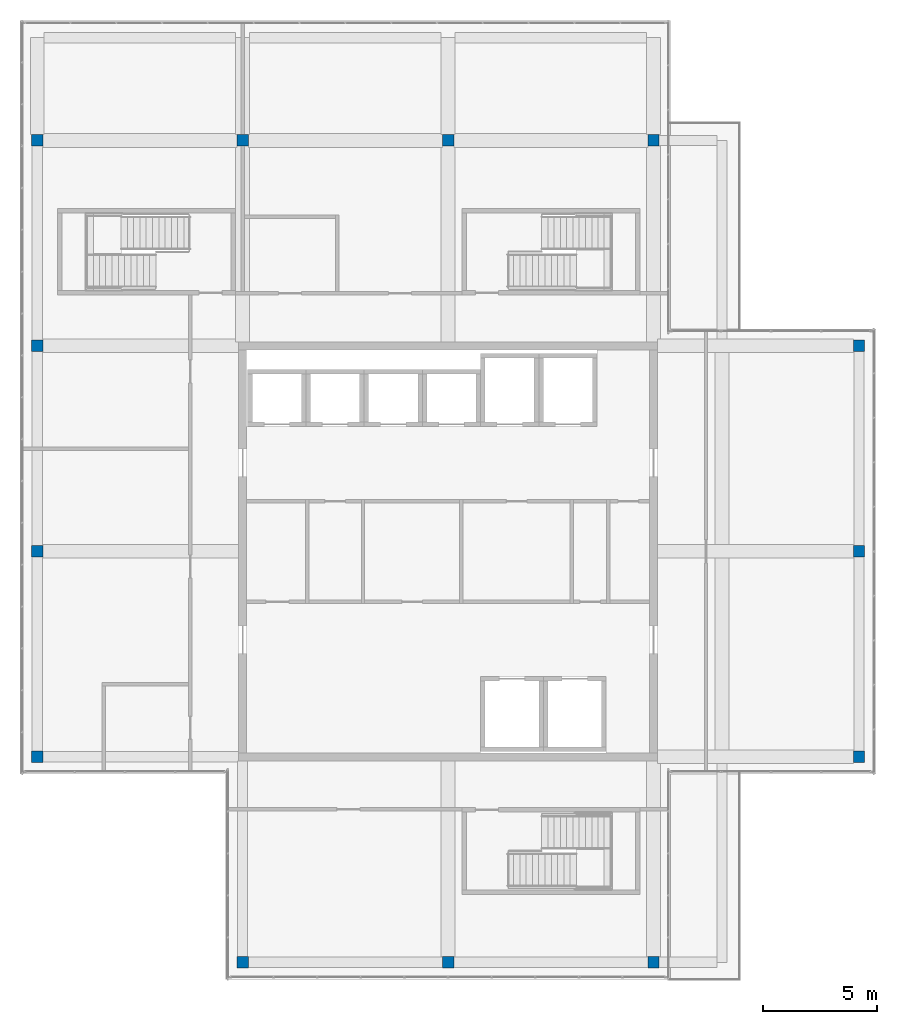
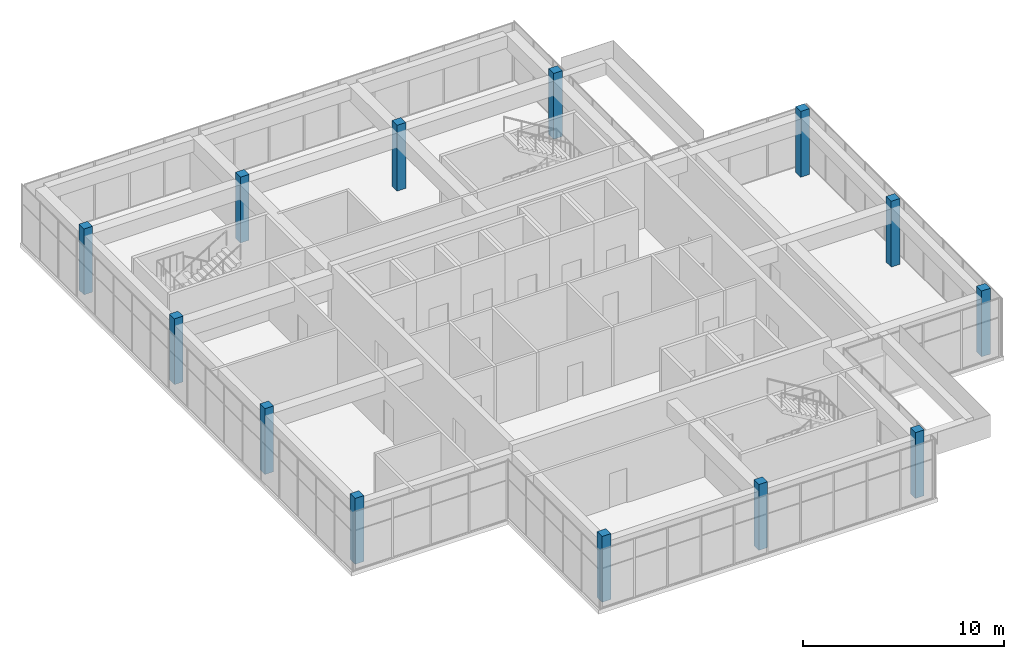
# One storey, part 1 of 36: 13 columns.
"""IFC4 building model written with IfcOpenShell, lengths in metres."""

from ifc_helpers import new_model, si_unit, direction, frame, origin, origin_2d, place, context, subcontext, project, spatial, rectangle, extrude, material, material_profile, profile_set, type_object, element, save


model = new_model("IFC4")

# Units and contexts
model_context = context("Model", 3, precision=1e-05, world=origin(), true_north=direction((0.0, 1.0)))
body_context = subcontext(model_context, "Body", "Model", "MODEL_VIEW")
ifc_project = project(units=[si_unit("LENGTHUNIT", "METRE"), si_unit("AREAUNIT", "SQUARE_METRE"), si_unit("VOLUMEUNIT", "CUBIC_METRE"), si_unit("PLANEANGLEUNIT", "RADIAN"), si_unit("MASSUNIT", "GRAM", prefix="KILO")], contexts=[model_context])

# Site, building, storey
site_placement = place(None, origin())
site = spatial("IfcSite", under=ifc_project, at=site_placement, CompositionType="ELEMENT")
building_placement = place(site_placement, origin())
building = spatial("IfcBuilding", under=site, at=building_placement, Name="Tuart Plaza Theatre", CompositionType="ELEMENT")
storey_placement = place(building_placement, frame((0.0, 0.0, 61.5)))
storey = spatial("IfcBuildingStorey", under=building, at=storey_placement, Name="L15", CompositionType="ELEMENT", Elevation=61.5)

# Columns
ifc_material = material(Name="Concrete N40 (40 MPa)", Category="concrete")
ifc_material_profile = material_profile(ifc_material, rectangle(XDim=0.5, YDim=0.5, at=origin_2d()), Name="COLUMN 500x500 Concrete N40 (40 MPa)")
ifc_profile_set = profile_set([ifc_material_profile], Name="Concrete N40 (40 MPa)")
column_type = type_object("IfcColumnType", Name="COLUMN 500x500 Concrete N40 (40 MPa)", PredefinedType="COLUMN", material=ifc_profile_set)
for number, where, z_axis, x_axis, name in (
    (1, (114.0, 65.0, 0.0), (0.0, 0.0, 1.0), (1.0, 0.0, 0.0), "C93"),
    (2, (114.0, 74.0, 0.0), (0.0, 0.0, 1.0), (1.0, 0.0, 0.0), "C94"),
    (3, (114.0, 83.0, 0.0), (0.0, 0.0, 1.0), (1.0, 0.0, 0.0), "C95"),
    (4, (114.0, 92.0, 0.0), (0.0, 0.0, 1.0), (1.0, 0.0, 0.0), "C96"),
    (5, (123.0, 56.0, 0.0), (0.0, 0.0, 1.0), (1.0, 0.0, 0.0), "C97"),
    (6, (123.0, 92.0, 0.0), (0.0, 0.0, 1.0), (1.0, 0.0, 0.0), "C98"),
    (7, (132.0, 56.0, 0.0), (0.0, 0.0, 1.0), (1.0, 0.0, 0.0), "C99"),
    (8, (132.0, 92.0, 0.0), (0.0, 0.0, 1.0), (1.0, 0.0, 0.0), "C100"),
    (9, (141.0, 56.0, 0.0), (0.0, 0.0, 1.0), (1.0, 0.0, 0.0), "C101"),
    (10, (141.0, 92.0, 0.0), (0.0, 0.0, 1.0), (1.0, 0.0, 0.0), "C102"),
    (11, (150.0, 65.0, 0.0), (0.0, 0.0, 1.0), (1.0, 0.0, 0.0), "C103"),
    (12, (150.0, 74.0, 0.0), (0.0, 0.0, 1.0), (1.0, 0.0, 0.0), "C104"),
    (13, (150.0, 83.0, 0.0), (0.0, 0.0, 1.0), (1.0, 0.0, 0.0), "C105"),
):
    element("IfcColumn", number, at=place(storey_placement, frame(where, z_axis=z_axis, x_axis=x_axis)), inside=storey, type_object=column_type, Name=name, PredefinedType="COLUMN", context=body_context, shape_type="SweptSolid", body=[
        extrude(rectangle(XDim=0.5, YDim=0.5, at=origin_2d()), origin(), (0.0, 0.0, 1.0), 4.0),
    ])

save(model, "model.ifc")
